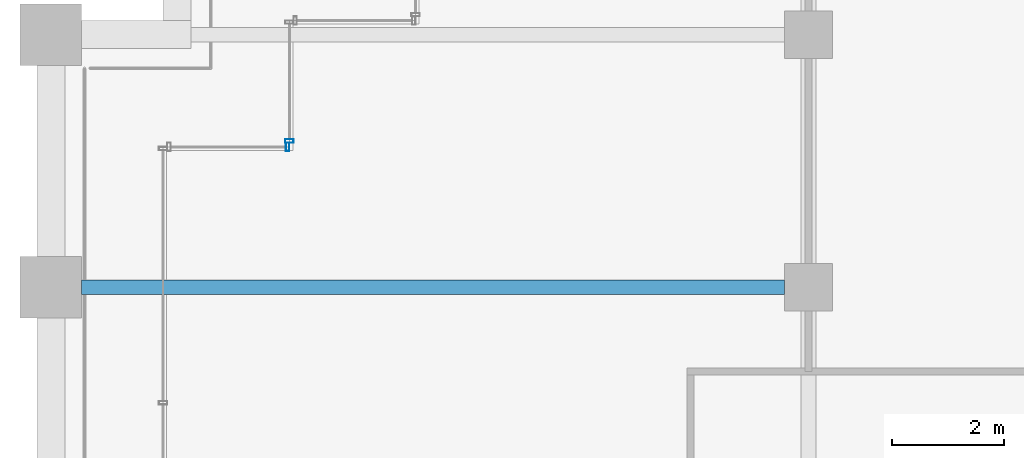
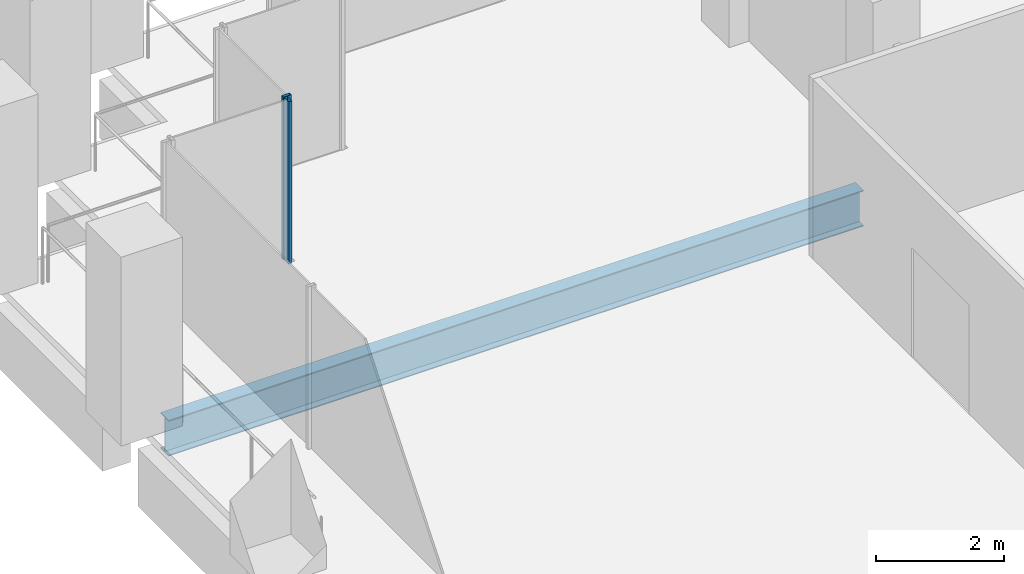
# One storey, part 24 of 54: 2 members, 1 beam, 2 elements without a shape of their own.
"""IFC4 building model written with IfcOpenShell, lengths in metres."""

import ifcopenshell
import ifcopenshell.guid

model = None  # the IFC model being written
_history = None  # IfcOwnerHistory: only IFC2X3 demands one
_inside = {}  # id of a spatial element -> (the spatial element, [elements in it])
_under = {}  # id of a project, library or spatial element -> (it, [spatial elements below it])
_declared = {}  # id of a project -> (the project, [libraries it declares])
_typed = {}  # id of a type object -> (the type object, [elements of that type])
_made_of = {}  # id of a material, layer set ... -> (it, [elements and type objects made of it])


def new_model(schema):
    """Start an empty IFC model of exactly this schema.

    Asked for "IFC4X3", IfcOpenShell would pick the latest addendum, in which some entities
    have other attributes; the version numbers below select the first issue.
    IFC2X3 requires an IfcOwnerHistory on every rooted entity: one is made here for all.
    """
    global model, _history
    if schema == "IFC4X3":
        model = ifcopenshell.file(schema_version=(4, 3, 0, 0))
    else:
        model = ifcopenshell.file(schema=schema)
    _inside.clear()
    _under.clear()
    _declared.clear()
    _typed.clear()
    _made_of.clear()
    _history = None
    if model.schema == "IFC2X3":
        org = make("IfcOrganization", Name="unknown")
        user = make(
            "IfcPersonAndOrganization",
            ThePerson=make("IfcPerson", FamilyName="unknown"),
            TheOrganization=org,
        )
        app = make(
            "IfcApplication",
            ApplicationDeveloper=org,
            Version="unknown",
            ApplicationFullName="unknown",
            ApplicationIdentifier="unknown",
        )
        _history = make(
            "IfcOwnerHistory",
            OwningUser=user,
            OwningApplication=app,
            ChangeAction="ADDED",
            CreationDate=0,
        )
    return model


def make(cls, **values):
    """One entity of the class cls with the attributes given. An attribute that is None is left unset."""
    return model.create_entity(
        cls, **{name: value for name, value in values.items() if value is not None}
    )


def rooted(cls, **values):
    """An entity with a GlobalId (a new one), such as an element, a storey or a relation."""
    return make(cls, GlobalId=ifcopenshell.guid.new(), OwnerHistory=_history, **values)


def si_unit(unit_type, name, prefix=None):
    """IfcSIUnit, for example si_unit("LENGTHUNIT", "METRE", prefix="MILLI")."""
    return make("IfcSIUnit", UnitType=unit_type, Prefix=prefix, Name=name)


def assignment(units):
    """IfcUnitAssignment: the units of a project."""
    return None if units is None else make("IfcUnitAssignment", Units=units)


def point(xyz):
    """IfcCartesianPoint."""
    return None if xyz is None else make("IfcCartesianPoint", Coordinates=xyz)


def direction(xyz):
    """IfcDirection."""
    return None if xyz is None else make("IfcDirection", DirectionRatios=xyz)


def frame(location, z_axis=None, x_axis=None):
    """IfcAxis2Placement3D, a coordinate frame: its origin and axes. An axis left out is left unset."""
    return make(
        "IfcAxis2Placement3D",
        Location=point(location),
        Axis=direction(z_axis),
        RefDirection=direction(x_axis),
    )


def frame_2d(location, x_axis=None):
    """IfcAxis2Placement2D, a coordinate frame in the plane: its origin and x axis."""
    return make(
        "IfcAxis2Placement2D", Location=point(location), RefDirection=direction(x_axis)
    )


def origin():
    """The frame at (0, 0, 0) with its axes left unset."""
    return frame((0.0, 0.0, 0.0))


def origin_2d():
    """The frame at (0, 0) in the plane with its x axis left unset."""
    return frame_2d((0.0, 0.0))


def place(relative_to, where):
    """IfcLocalPlacement: puts the frame where relative to a parent placement (None: the world)."""
    return make(
        "IfcLocalPlacement", PlacementRelTo=relative_to, RelativePlacement=where
    )


def context(
    kind, dimensions, precision=None, world=None, true_north=None, identifier=None
):
    """IfcGeometricRepresentationContext, for example the 3D "Model" context."""
    return make(
        "IfcGeometricRepresentationContext",
        ContextIdentifier=identifier,
        ContextType=kind,
        CoordinateSpaceDimension=dimensions,
        Precision=precision,
        WorldCoordinateSystem=world,
        TrueNorth=true_north,
    )


def subcontext(parent, identifier, kind, view, scale=None):
    """IfcGeometricRepresentationSubContext, for example "Body" below "Model"."""
    return make(
        "IfcGeometricRepresentationSubContext",
        ContextIdentifier=identifier,
        ContextType=kind,
        ParentContext=parent,
        TargetScale=scale,
        TargetView=view,
    )


def project(units=None, contexts=None):
    """IfcProject with its units and contexts."""
    return rooted(
        "IfcProject",
        Name="project",
        RepresentationContexts=contexts,
        UnitsInContext=assignment(units),
    )


def spatial(cls, under=None, at=None, **own):
    """A site, building, storey or space (cls), placed at a placement, below another one or the project."""
    s = rooted(cls, ObjectPlacement=at, **own)
    if under is not None:
        _under.setdefault(under.id(), (under, []))[1].append(s)
    return s


def profile(cls, at=None, kind="AREA", **sizes):
    """A parametric profile (cls). Its sizes go by their IFC names, for example OverallWidth=200.0."""
    return make(cls, ProfileType=kind, Position=at, **sizes)


def hollow_rectangle(**sizes):
    """IfcRectangleHollowProfileDef."""
    return profile("IfcRectangleHollowProfileDef", **sizes)


def i_section(**sizes):
    """IfcIShapeProfileDef."""
    return profile("IfcIShapeProfileDef", **sizes)


def extrude(swept, where, along, depth):
    """IfcExtrudedAreaSolid: the profile swept, set in the frame where, extruded along a direction by depth."""
    return make(
        "IfcExtrudedAreaSolid",
        SweptArea=swept,
        Position=where,
        ExtrudedDirection=direction(along),
        Depth=depth,
    )


def shape(context_of_items, identifier, shape_type, items):
    """IfcShapeRepresentation: the items that make up one representation, for example the "Body"."""
    return make(
        "IfcShapeRepresentation",
        ContextOfItems=context_of_items,
        RepresentationIdentifier=identifier,
        RepresentationType=shape_type,
        Items=items,
    )


def material(Name=None, Category=None):
    """IfcMaterial."""
    return make("IfcMaterial", Name=Name, Category=Category)


def material_profile(
    of_material, cross_section, Name=None, Category=None, Priority=None
):
    """IfcMaterialProfile: a cross section and its material."""
    return make(
        "IfcMaterialProfile",
        Name=Name,
        Material=of_material,
        Profile=cross_section,
        Priority=Priority,
        Category=Category,
    )


def profile_set(profiles, Name=None, composite=None):
    """IfcMaterialProfileSet."""
    return make(
        "IfcMaterialProfileSet",
        Name=Name,
        MaterialProfiles=profiles,
        CompositeProfile=composite,
    )


def made_of(thing, what):
    """Note that an element or type object is made of a material, layer set ...; save() writes the relation."""
    if what is not None:
        _made_of.setdefault(what.id(), (what, []))[1].append(thing)
    return thing


def type_object(cls, material=None, **own):
    """A type object (cls), such as IfcWallType, which elements share."""
    return made_of(rooted(cls, **own), material)


def element(
    cls,
    number,
    at=None,
    inside=None,
    cuts=None,
    type_object=None,
    material=None,
    context=None,
    identifier="Body",
    shape_type=None,
    held_by="IfcProductDefinitionShape",
    body=None,
    shapes=None,
    **own,
):
    """One element of the class cls, such as IfcWall. Its Tag is "e" and its number.

    at: its placement. inside: the storey or other place that contains it. cuts: it is an
    opening in that element (IfcRelVoidsElement). A single representation is given by context,
    identifier, shape_type and body (its items); several are given by shapes. held_by: the class
    of the entity that holds the representations. save() writes the other relations.
    """
    e = rooted(cls, Tag="e%d" % number, ObjectPlacement=at, **own)
    if body is not None:
        shapes = [shape(context, identifier, shape_type, body)]
    if shapes is not None:
        e.Representation = make(held_by, Representations=shapes)
    if inside is not None:
        _inside.setdefault(inside.id(), (inside, []))[1].append(e)
    if cuts is not None:
        rooted(
            "IfcRelVoidsElement", RelatingBuildingElement=cuts, RelatedOpeningElement=e
        )
    if type_object is not None:
        _typed.setdefault(type_object.id(), (type_object, []))[1].append(e)
    return made_of(e, material)


def aggregate(whole, parts):
    """IfcRelAggregates: a whole, such as a stair, and the parts it consists of."""
    return rooted("IfcRelAggregates", RelatingObject=whole, RelatedObjects=parts)


def save(model, path):
    """Write the relations noted so far, then the file.

    IfcRelAggregates (storeys below a building ...), IfcRelContainedInSpatialStructure (elements
    in a storey), IfcRelDefinesByType, IfcRelAssociatesMaterial and IfcRelDeclares: one each for
    every whole, place, type object, material and project.
    """
    for whole, parts in _under.values():
        aggregate(whole, parts)
    for where, things in _inside.values():
        rooted(
            "IfcRelContainedInSpatialStructure",
            RelatedElements=things,
            RelatingStructure=where,
        )
    for kind, things in _typed.values():
        rooted("IfcRelDefinesByType", RelatedObjects=things, RelatingType=kind)
    for what, things in _made_of.values():
        rooted("IfcRelAssociatesMaterial", RelatedObjects=things, RelatingMaterial=what)
    for by, libraries in _declared.values():
        rooted("IfcRelDeclares", RelatingContext=by, RelatedDefinitions=libraries)
    model.write(path)


model = new_model("IFC4")

# Units and contexts
model_context = context("Model", 3, precision=1e-05, world=origin(), true_north=direction((0.0, 1.0)))
body_context = subcontext(model_context, "Body", "Model", "MODEL_VIEW")
ifc_project = project(units=[si_unit("LENGTHUNIT", "METRE"), si_unit("AREAUNIT", "SQUARE_METRE"), si_unit("VOLUMEUNIT", "CUBIC_METRE"), si_unit("PLANEANGLEUNIT", "RADIAN"), si_unit("MASSUNIT", "GRAM", prefix="KILO")], contexts=[model_context])

# Site, building, storey
site_placement = place(None, origin())
site = spatial("IfcSite", under=ifc_project, at=site_placement, CompositionType="ELEMENT")
building_placement = place(site_placement, origin())
building = spatial("IfcBuilding", under=site, at=building_placement, Name="Altepetl Exchange Towers", CompositionType="ELEMENT")
storey_placement = place(building_placement, frame((0.0, 0.0, 61.800048828125)))
storey = spatial("IfcBuildingStorey", under=building, at=storey_placement, Name="L14", CompositionType="ELEMENT", Elevation=61.800048828125)

# Beam
ifc_material_1 = material(Name="Steel S355", Category="steel")
ifc_material_profile_1 = material_profile(ifc_material_1, i_section(OverallWidth=0.25390625, OverallDepth=0.68408203125, WebThickness=0.012451171875, FlangeThickness=0.018798828125, at=origin_2d()), Name="W27X94")
ifc_profile_set_1 = profile_set([ifc_material_profile_1], Name="Steel S355")
beam_type = type_object("IfcBeamType", Name="Floor beam W27X94", PredefinedType="BEAM", material=ifc_profile_set_1)
beam_placement = place(storey_placement, frame((27.550048828125, 63.0, -0.491943359375), z_axis=(1.0, 0.0, 0.0), x_axis=(0.0, 1.0, 0.0)))
element("IfcBeam", 1, at=beam_placement, inside=storey, type_object=beam_type, Name="bm:A:L14:022", PredefinedType="BEAM", context=body_context, shape_type="SweptSolid", body=[
    extrude(i_section(OverallWidth=0.25390625, OverallDepth=0.68408203125, WebThickness=0.012451171875, FlangeThickness=0.018798828125, at=origin_2d()), origin(), (0.0, 0.0, 1.0), 12.52490234375),
])

# Curtain wall, member
ifc_material_2 = material(Name="Aluminium 6063-T6 glazing", Category="aluminium")
curtain_wall_type = type_object("IfcCurtainWallType", Name="Loggia glazing system", PredefinedType="NOTDEFINED", material=ifc_material_2)
curtain_wall_1_placement = place(storey_placement, origin())
curtain_wall_1 = element("IfcCurtainWall", 2, at=curtain_wall_1_placement, inside=storey, type_object=curtain_wall_type, Name="CW1 run", PredefinedType="NOTDEFINED")
ifc_material_3 = material(Name="Aluminium 6063-T6", Category="aluminium")
ifc_material_profile_2 = material_profile(ifc_material_3, hollow_rectangle(XDim=0.06005859375, YDim=0.14990234375, WallThickness=0.0029296875, at=origin_2d()), Name="Mullion 60x150 aluminium")
ifc_profile_set_2 = profile_set([ifc_material_profile_2], Name="Aluminium 6063-T6")
member_type = type_object("IfcMemberType", Name="Mullion 60x150 aluminium", PredefinedType="MULLION", material=ifc_profile_set_2)
member_1_placement = place(storey_placement, frame((31.219970703125, 65.5, 0.0), z_axis=(0.0, 0.0, 1.0), x_axis=(-1.0, 0.0, 0.0)))
member_1 = element("IfcMember", 3, at=member_1_placement, type_object=member_type, Name="MU1 mullion", PredefinedType="MULLION", context=body_context, shape_type="SweptSolid", body=[
    extrude(hollow_rectangle(XDim=0.06005859375, YDim=0.14990234375, WallThickness=0.0029296875, at=origin_2d()), origin(), (0.0, 0.0, 1.0), 3.099853515625),
])
aggregate(curtain_wall_1, [member_1])

curtain_wall_2_placement = place(storey_placement, origin())
curtain_wall_2 = element("IfcCurtainWall", 4, at=curtain_wall_2_placement, inside=storey, type_object=curtain_wall_type, Name="CW1 run", PredefinedType="NOTDEFINED")
member_2_placement = place(storey_placement, frame((31.25, 65.60498046875, 0.0), z_axis=(0.0, 0.0, 1.0), x_axis=(0.0, -1.0, 0.0)))
member_2 = element("IfcMember", 5, at=member_2_placement, type_object=member_type, Name="MU1 mullion", PredefinedType="MULLION", context=body_context, shape_type="SweptSolid", body=[
    extrude(hollow_rectangle(XDim=0.06005859375, YDim=0.14990234375, WallThickness=0.0029296875, at=origin_2d()), origin(), (0.0, 0.0, 1.0), 3.099853515625),
])
aggregate(curtain_wall_2, [member_2])

save(model, "model.ifc")
